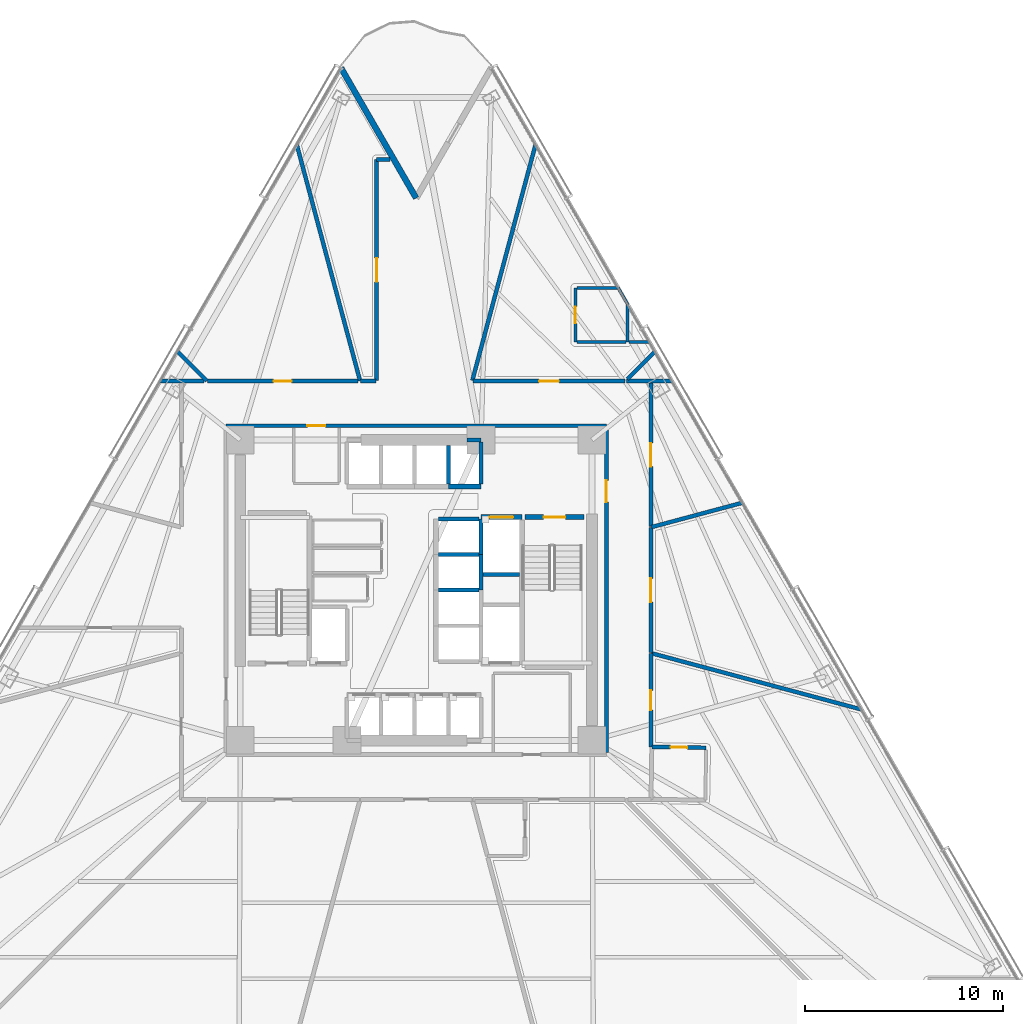
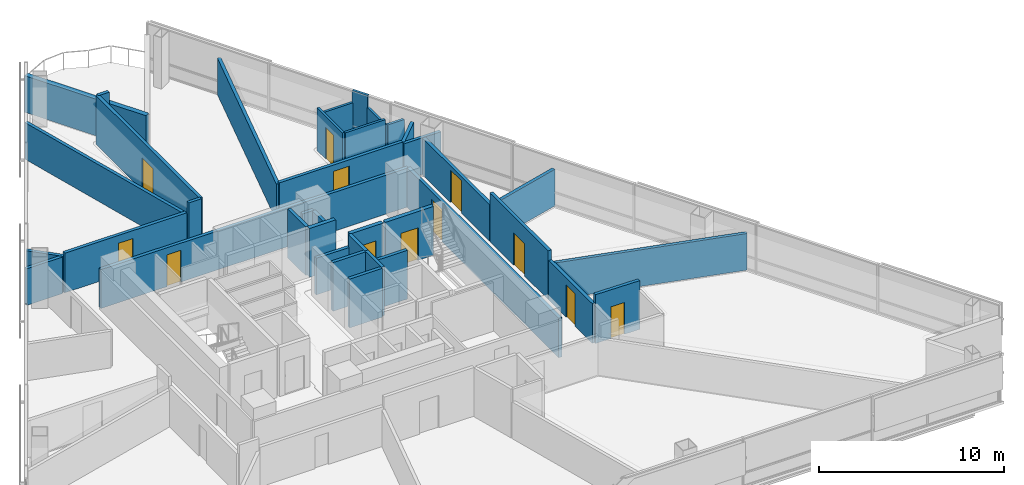
# One storey, part 9 of 16: 38 walls, 12 doors, 12 openings.
"""IFC4 building model written with IfcOpenShell, lengths in metres."""

from ifc_helpers import new_model, si_unit, direction, frame, frame_2d, origin, place, context, subcontext, project, spatial, rectangle, extrude, material, layer, layer_set, type_object, element, fill, save


model = new_model("IFC4")

# Units and contexts
model_context = context("Model", 3, precision=1e-05, world=origin(), true_north=direction((0.0, 1.0)))
body_context = subcontext(model_context, "Body", "Model", "MODEL_VIEW")
ifc_project = project(units=[si_unit("LENGTHUNIT", "METRE"), si_unit("AREAUNIT", "SQUARE_METRE"), si_unit("VOLUMEUNIT", "CUBIC_METRE"), si_unit("PLANEANGLEUNIT", "RADIAN"), si_unit("MASSUNIT", "GRAM", prefix="KILO")], contexts=[model_context])

# Site, building, storey
site_placement = place(None, origin())
site = spatial("IfcSite", under=ifc_project, at=site_placement, CompositionType="ELEMENT")
building_placement = place(site_placement, origin())
building = spatial("IfcBuilding", under=site, at=building_placement, Name="Tharavind Bronze Gate", CompositionType="ELEMENT")
storey_placement = place(building_placement, frame((0.0, 0.0, 48.85009765625)))
storey = spatial("IfcBuildingStorey", under=building, at=storey_placement, Name="L11", CompositionType="ELEMENT", Elevation=48.85009765625)

# Wall
ifc_material_1 = material(Name="Concrete C40/50", Category="concrete")
ifc_layer_1 = layer(ifc_material_1, 0.300048828125)
ifc_layer_set_1 = layer_set([ifc_layer_1], Name="Concrete C40/50")
wall_type_1 = type_object("IfcWallType", Name="EXTERIOR SPANDREL WALL 300", PredefinedType="STANDARD", material=ifc_layer_set_1)
wall_1_placement = place(storey_placement, frame((0.0, 19.83642578125, 0.0), z_axis=(0.0, 0.0, 1.0), x_axis=(-0.500005158081, 0.866022425744, 0.0)))
element("IfcWall", 1, at=wall_1_placement, inside=storey, type_object=wall_type_1, Name="L11 notch cheek wall 1B", PredefinedType="STANDARD", context=body_context, shape_type="SweptSolid", body=[
    extrude(rectangle(XDim=7.60009765625, YDim=0.300048828125, at=frame_2d((3.800048828125, 0.0))), origin(), (0.0, 0.0, 1.0), 2.419921875),
])

# Wall, opening, door
ifc_material_2 = material(Name="Aerated Concrete Block", Category="concrete")
ifc_layer_2 = layer(ifc_material_2, 0.199951171875)
ifc_layer_set_2 = layer_set([ifc_layer_2], Name="Aerated Concrete Block")
wall_type_2 = type_object("IfcWallType", Name="FIRE RATED PARTITION 200", PredefinedType="PARTITIONING", material=ifc_layer_set_2)
wall_2_placement = place(storey_placement, frame((9.6201171875, 8.320068359375, 0.0), z_axis=(0.0, 0.0, 1.0), x_axis=(-1.0, 0.0, 0.0)))
wall_2 = element("IfcWall", 2, at=wall_2_placement, inside=storey, type_object=wall_type_2, Name="L11 north core corridor wall", PredefinedType="PARTITIONING", context=body_context, shape_type="SweptSolid", body=[
    extrude(rectangle(XDim=19.240234375, YDim=0.199951171875, at=frame_2d((9.6201171875, 0.0))), origin(), (0.0, 0.0, 1.0), 2.56982421875),
])
opening_1_placement = place(wall_2_placement, frame((14.219970703125, 0.0, 0.0)))
opening_1 = element("IfcOpeningElement", 3, at=opening_1_placement, cuts=wall_2, Name="Opening ID07", PredefinedType="OPENING", context=body_context, shape_type="SweptSolid", body=[
    extrude(rectangle(XDim=0.89990234375, YDim=2.10009765625, at=frame_2d((0.449951171875, 1.050048828125))), frame((0.0, 0.11009765625, 0.0), z_axis=(0.0, -1.0, 0.0), x_axis=(1.0, 0.0, 0.0)), (0.0, 0.0, 1.0), 0.219951171875),
])
ifc_material_3 = material(Name="Galvanised Fire Steel", Category="steel")
door_type_1 = type_object("IfcDoorType", Name="PLANT AND RISER FIRE DOOR 900X2100", OperationType="SINGLE_SWING_LEFT", PredefinedType="DOOR", material=ifc_material_3)
door_1_placement = place(opening_1_placement, origin())
door_1 = element("IfcDoor", 4, at=door_1_placement, inside=storey, type_object=door_type_1, Name="L11 Electrical Switch Cupboard fire door", OperationType="SINGLE_SWING_LEFT", OverallHeight=2.10009765625, OverallWidth=0.89990234375, PredefinedType="DOOR", context=body_context, shape_type="SweptSolid", body=[
    extrude(rectangle(XDim=0.89990234375, YDim=2.10009765625, at=frame_2d((0.449951171875, 1.050048828125))), frame((0.0, 0.02490234375, 0.0), z_axis=(0.0, -1.0, 0.0), x_axis=(1.0, 0.0, 0.0)), (0.0, 0.0, 1.0), 0.050048828125),
])
fill(opening_1, door_1)

wall_3_placement = place(storey_placement, frame((9.6201171875, -8.199951171875, 0.0), z_axis=(0.0, 0.0, 1.0), x_axis=(0.0, 1.0, 0.0)))
wall_3 = element("IfcWall", 5, at=wall_3_placement, inside=storey, type_object=wall_type_2, Name="L11 east core corridor wall", PredefinedType="PARTITIONING", context=body_context, shape_type="SweptSolid", body=[
    extrude(rectangle(XDim=16.39990234375, YDim=0.199951171875, at=frame_2d((8.199951171875, 0.0))), origin(), (0.0, 0.0, 1.0), 2.619873046875),
])
opening_2_placement = place(wall_3_placement, frame((12.64990234375, 0.0, 0.0)))
opening_2 = element("IfcOpeningElement", 6, at=opening_2_placement, cuts=wall_3, Name="Opening ID01", PredefinedType="OPENING", context=body_context, shape_type="SweptSolid", body=[
    extrude(rectangle(XDim=1.10009765625, YDim=2.14990234375, at=frame_2d((0.550048828125, 1.074951171875))), frame((0.0, 0.11009765625, 0.0), z_axis=(0.0, -1.0, 0.0), x_axis=(1.0, 0.0, 0.0)), (0.0, 0.0, 1.0), 0.219951171875),
])
ifc_material_4 = material(Name="Fire-Rated Steel", Category="steel")
door_type_2 = type_object("IfcDoorType", Name="STAIR CORE FIRE DOOR 1100X2150", OperationType="SINGLE_SWING_LEFT", PredefinedType="DOOR", material=ifc_material_4)
door_2_placement = place(opening_2_placement, frame((1.10009765625, 0.0, 0.0), z_axis=(0.0, 0.0, 1.0), x_axis=(-1.0, 0.0, 0.0)))
door_2 = element("IfcDoor", 7, at=door_2_placement, inside=storey, type_object=door_type_2, Name="L11 north east stair lobby fire door", OperationType="SINGLE_SWING_LEFT", OverallHeight=2.14990234375, OverallWidth=1.10009765625, PredefinedType="DOOR", context=body_context, shape_type="SweptSolid", body=[
    extrude(rectangle(XDim=1.10009765625, YDim=2.14990234375, at=frame_2d((0.550048828125, 1.074951171875))), frame((0.0, 0.02490234375, 0.0), z_axis=(0.0, -1.0, 0.0), x_axis=(1.0, 0.0, 0.0)), (0.0, 0.0, 1.0), 0.050048828125),
])
fill(opening_2, door_2)

wall_4_placement = place(storey_placement, frame((11.923095703125, -7.930419921875, 0.0), z_axis=(0.0, 0.0, 1.0), x_axis=(0.999868029143, -0.016245747077, 0.0)))
wall_4 = element("IfcWall", 8, at=wall_4_placement, inside=storey, type_object=wall_type_2, Name="L11 En-Suite Bathroom partition", PredefinedType="PARTITIONING", context=body_context, shape_type="SweptSolid", body=[
    extrude(rectangle(XDim=2.75, YDim=0.199951171875, at=frame_2d((1.375, 0.0))), origin(), (0.0, 0.0, 1.0), 3.224853515625),
])
opening_3_placement = place(wall_4_placement, frame((0.949951171875, 0.0, 0.0)))
opening_3 = element("IfcOpeningElement", 9, at=opening_3_placement, cuts=wall_4, Name="Opening ID06", PredefinedType="OPENING", context=body_context, shape_type="SweptSolid", body=[
    extrude(rectangle(XDim=0.85009765625, YDim=2.10009765625, at=frame_2d((0.425048828125, 1.050048828125))), frame((0.0, 0.11009765625, 0.0), z_axis=(0.0, -1.0, 0.0), x_axis=(1.0, 0.0, 0.0)), (0.0, 0.0, 1.0), 0.219951171875),
])
ifc_material_5 = material(Name="Moisture-Resistant Timber", Category="wood")
door_type_3 = type_object("IfcDoorType", Name="BATHROOM PRIVACY DOOR 850X2100", OperationType="SINGLE_SWING_RIGHT", PredefinedType="DOOR", material=ifc_material_5)
door_3_placement = place(opening_3_placement, origin())
door_3 = element("IfcDoor", 10, at=door_3_placement, inside=storey, type_object=door_type_3, Name="L11 En-Suite Bathroom door", OperationType="SINGLE_SWING_RIGHT", OverallHeight=2.10009765625, OverallWidth=0.85009765625, PredefinedType="DOOR", context=body_context, shape_type="SweptSolid", body=[
    extrude(rectangle(XDim=0.85009765625, YDim=2.10009765625, at=frame_2d((0.425048828125, 1.050048828125))), frame((0.0, 0.02490234375, 0.0), z_axis=(0.0, -1.0, 0.0), x_axis=(1.0, 0.0, 0.0)), (0.0, 0.0, 1.0), 0.050048828125),
])
fill(opening_3, door_3)

# Walls
wall_5_placement = place(storey_placement, frame((12.944091796875, 10.580078125, 0.0), z_axis=(0.0, 0.0, 1.0), x_axis=(-1.0, 0.0, 0.0)))
element("IfcWall", 11, at=wall_5_placement, inside=storey, type_object=wall_type_2, Name="L11 Hotel Guest Lounge partition", PredefinedType="PARTITIONING", context=body_context, shape_type="SweptSolid", body=[
    extrude(rectangle(XDim=2.3037109375, YDim=0.199951171875, at=frame_2d((1.15185546875, 0.0))), origin(), (0.0, 0.0, 1.0), 2.419921875),
])
wall_6_placement = place(storey_placement, frame((10.68505859375, 10.68505859375, 0.0), z_axis=(0.0, 0.0, 1.0), x_axis=(0.707106781187, 0.707106781187, 0.0)))
element("IfcWall", 12, at=wall_6_placement, inside=storey, type_object=wall_type_2, Name="L11 Hotel Guest Lounge partition", PredefinedType="PARTITIONING", context=body_context, shape_type="SweptSolid", body=[
    extrude(rectangle(XDim=1.97119140625, YDim=0.199951171875, at=frame_2d((0.985595703125, 0.0))), origin(), (0.0, 0.0, 1.0), 2.419921875),
])
wall_7_placement = place(storey_placement, frame((16.5, 4.421142578125, 0.0), z_axis=(0.0, 0.0, 1.0), x_axis=(-0.965923733473, -0.258826855473, 0.0)))
element("IfcWall", 13, at=wall_7_placement, inside=storey, type_object=wall_type_2, Name="L11 Hotel Guest Lounge partition", PredefinedType="PARTITIONING", context=body_context, shape_type="SweptSolid", body=[
    extrude(rectangle(XDim=4.750244140625, YDim=0.199951171875, at=frame_2d((2.375, 0.0))), origin(), (0.0, 0.0, 1.0), 2.419921875),
])

# Wall, opening, door
wall_8_placement = place(storey_placement, frame((11.8798828125, 3.2158203125, 0.0), z_axis=(0.0, 0.0, 1.0), x_axis=(0.0, 1.0, 0.0)))
wall_8 = element("IfcWall", 14, at=wall_8_placement, inside=storey, type_object=wall_type_2, Name="L11 Hotel Guest Lounge partition", PredefinedType="PARTITIONING", context=body_context, shape_type="SweptSolid", body=[
    extrude(rectangle(XDim=7.25927734375, YDim=0.199951171875, at=frame_2d((3.629638671875, 0.0))), origin(), (0.0, 0.0, 1.0), 2.419921875),
])
opening_4_placement = place(wall_8_placement, frame((3.030029296875, 0.0, 0.0)))
opening_4 = element("IfcOpeningElement", 15, at=opening_4_placement, cuts=wall_8, Name="Opening ID05", PredefinedType="OPENING", context=body_context, shape_type="SweptSolid", body=[
    extrude(rectangle(XDim=1.199951171875, YDim=2.14990234375, at=frame_2d((0.60009765625, 1.074951171875))), frame((0.0, 0.11009765625, 0.0), z_axis=(0.0, -1.0, 0.0), x_axis=(1.0, 0.0, 0.0)), (0.0, 0.0, 1.0), 0.219951171875),
])
ifc_material_6 = material(Name="Acoustic Laminated Glass", Category="glass")
door_type_4 = type_object("IfcDoorType", Name="MEETING ROOM GLAZED DOOR 1200X2150", OperationType="SINGLE_SWING_LEFT", PredefinedType="DOOR", material=ifc_material_6)
door_4_placement = place(opening_4_placement, origin())
door_4 = element("IfcDoor", 16, at=door_4_placement, inside=storey, type_object=door_type_4, Name="L11 Hotel Guest Lounge door", OperationType="SINGLE_SWING_LEFT", OverallHeight=2.14990234375, OverallWidth=1.199951171875, PredefinedType="DOOR", context=body_context, shape_type="SweptSolid", body=[
    extrude(rectangle(XDim=1.199951171875, YDim=2.14990234375, at=frame_2d((0.60009765625, 1.074951171875))), frame((0.0, 0.02490234375, 0.0), z_axis=(0.0, -1.0, 0.0), x_axis=(1.0, 0.0, 0.0)), (0.0, 0.0, 1.0), 0.050048828125),
])
fill(opening_4, door_4)

wall_9_placement = place(storey_placement, frame((10.569580078125, 10.580078125, 0.0), z_axis=(0.0, 0.0, 1.0), x_axis=(-1.0, 0.0, 0.0)))
wall_9 = element("IfcWall", 17, at=wall_9_placement, inside=storey, type_object=wall_type_2, Name="L11 Royal Hotel Suite partition", PredefinedType="PARTITIONING", context=body_context, shape_type="SweptSolid", body=[
    extrude(rectangle(XDim=7.7021484375, YDim=0.199951171875, at=frame_2d((3.85107421875, 0.0))), origin(), (0.0, 0.0, 1.0), 2.56982421875),
])
opening_5_placement = place(wall_9_placement, frame((3.35107421875, 0.0, 0.0)))
opening_5 = element("IfcOpeningElement", 18, at=opening_5_placement, cuts=wall_9, Name="Opening ID03", PredefinedType="OPENING", context=body_context, shape_type="SweptSolid", body=[
    extrude(rectangle(XDim=1.0, YDim=2.14990234375, at=frame_2d((0.5, 1.074951171875))), frame((0.0, 0.11009765625, 0.0), z_axis=(0.0, -1.0, 0.0), x_axis=(1.0, 0.0, 0.0)), (0.0, 0.0, 1.0), 0.219951171875),
])
ifc_material_7 = material(Name="Solid Timber Veneer", Category="wood")
door_type_5 = type_object("IfcDoorType", Name="HOTEL SUITE ENTRANCE DOOR 1000X2150", OperationType="SINGLE_SWING_LEFT", PredefinedType="DOOR", material=ifc_material_7)
door_5_placement = place(opening_5_placement, origin())
door_5 = element("IfcDoor", 19, at=door_5_placement, inside=storey, type_object=door_type_5, Name="L11 Royal Hotel Suite door", OperationType="SINGLE_SWING_LEFT", OverallHeight=2.14990234375, OverallWidth=1.0, PredefinedType="DOOR", context=body_context, shape_type="SweptSolid", body=[
    extrude(rectangle(XDim=1.0, YDim=2.14990234375, at=frame_2d((0.5, 1.074951171875))), frame((0.0, 0.02490234375, 0.0), z_axis=(0.0, -1.0, 0.0), x_axis=(1.0, 0.0, 0.0)), (0.0, 0.0, 1.0), 0.050048828125),
])
fill(opening_5, door_5)

# Walls
wall_10_placement = place(storey_placement, frame((2.84326171875, 10.611572265625, 0.0), z_axis=(0.0, 0.0, 1.0), x_axis=(0.258820414837, 0.965925459269, 0.0)))
element("IfcWall", 20, at=wall_10_placement, inside=storey, type_object=wall_type_2, Name="L11 Royal Hotel Suite partition", PredefinedType="PARTITIONING", context=body_context, shape_type="SweptSolid", body=[
    extrude(rectangle(XDim=12.348388671875, YDim=0.199951171875, at=frame_2d((6.17431640625, 0.0))), origin(), (0.0, 0.0, 1.0), 2.419921875),
])
wall_11_placement = place(storey_placement, frame((-1.312744140625, 21.800048828125, 0.0), z_axis=(0.0, 0.0, 1.0), x_axis=(-1.0, 0.0, 0.0)))
element("IfcWall", 21, at=wall_11_placement, inside=storey, type_object=wall_type_2, Name="L11 Hotel Wellness Spa Salon partition", PredefinedType="PARTITIONING", context=body_context, shape_type="SweptSolid", body=[
    extrude(rectangle(XDim=0.686767578125, YDim=0.199951171875, at=frame_2d((0.34326171875, 0.0))), origin(), (0.0, 0.0, 1.0), 3.224853515625),
])

# Wall, opening, door
wall_12_placement = place(storey_placement, frame((-2.0, 21.79931640625, 0.0), z_axis=(0.0, 0.0, 1.0), x_axis=(0.0, -1.0, 0.0)))
wall_12 = element("IfcWall", 22, at=wall_12_placement, inside=storey, type_object=wall_type_2, Name="L11 Hotel Wellness Spa Salon partition", PredefinedType="PARTITIONING", context=body_context, shape_type="SweptSolid", body=[
    extrude(rectangle(XDim=11.1943359375, YDim=0.199951171875, at=frame_2d((5.59716796875, 0.0))), origin(), (0.0, 0.0, 1.0), 3.224853515625),
])
opening_6_placement = place(wall_12_placement, frame((4.9970703125, 0.0, 0.0)))
opening_6 = element("IfcOpeningElement", 23, at=opening_6_placement, cuts=wall_12, Name="Opening ID05", PredefinedType="OPENING", context=body_context, shape_type="SweptSolid", body=[
    extrude(rectangle(XDim=1.199951171875, YDim=2.14990234375, at=frame_2d((0.60009765625, 1.074951171875))), frame((0.0, 0.11009765625, 0.0), z_axis=(0.0, -1.0, 0.0), x_axis=(1.0, 0.0, 0.0)), (0.0, 0.0, 1.0), 0.219951171875),
])
door_6_placement = place(opening_6_placement, origin())
door_6 = element("IfcDoor", 24, at=door_6_placement, inside=storey, type_object=door_type_4, Name="L11 Hotel Wellness Spa Salon door", OperationType="SINGLE_SWING_LEFT", OverallHeight=2.14990234375, OverallWidth=1.199951171875, PredefinedType="DOOR", context=body_context, shape_type="SweptSolid", body=[
    extrude(rectangle(XDim=1.199951171875, YDim=2.14990234375, at=frame_2d((0.60009765625, 1.074951171875))), frame((0.0, 0.02490234375, 0.0), z_axis=(0.0, -1.0, 0.0), x_axis=(1.0, 0.0, 0.0)), (0.0, 0.0, 1.0), 0.050048828125),
])
fill(opening_6, door_6)

# Walls
wall_13_placement = place(storey_placement, frame((-2.02490234375, 10.580078125, 0.0), z_axis=(0.0, 0.0, 1.0), x_axis=(-1.0, 0.0, 0.0)))
element("IfcWall", 25, at=wall_13_placement, inside=storey, type_object=wall_type_2, Name="L11 Hotel Wellness Spa Salon partition", PredefinedType="PARTITIONING", context=body_context, shape_type="SweptSolid", body=[
    extrude(rectangle(XDim=0.790771484375, YDim=0.199951171875, at=frame_2d((0.3955078125, 0.0))), origin(), (0.0, 0.0, 1.0), 3.224853515625),
])
wall_14_placement = place(storey_placement, frame((-2.83984375, 10.598388671875, 0.0), z_axis=(0.0, 0.0, 1.0), x_axis=(-0.258811500911, 0.965927847718, 0.0)))
element("IfcWall", 26, at=wall_14_placement, inside=storey, type_object=wall_type_2, Name="L11 Hotel Wellness Spa Salon partition", PredefinedType="PARTITIONING", context=body_context, shape_type="SweptSolid", body=[
    extrude(rectangle(XDim=12.351806640625, YDim=0.199951171875, at=frame_2d((6.17578125, 0.0))), origin(), (0.0, 0.0, 1.0), 2.419921875),
])

# Wall, opening, door
wall_15_placement = place(storey_placement, frame((-2.943603515625, 10.580078125, 0.0), z_axis=(0.0, 0.0, 1.0), x_axis=(-1.0, 0.0, 0.0)))
wall_15 = element("IfcWall", 27, at=wall_15_placement, inside=storey, type_object=wall_type_2, Name="L11 Housekeeping & Linen Room partition", PredefinedType="PARTITIONING", context=body_context, shape_type="SweptSolid", body=[
    extrude(rectangle(XDim=7.6259765625, YDim=0.199951171875, at=frame_2d((3.81298828125, 0.0))), origin(), (0.0, 0.0, 1.0), 2.619873046875),
])
opening_7_placement = place(wall_15_placement, frame((3.363037109375, 0.0, 0.0)))
opening_7 = element("IfcOpeningElement", 28, at=opening_7_placement, cuts=wall_15, Name="Opening ID07", PredefinedType="OPENING", context=body_context, shape_type="SweptSolid", body=[
    extrude(rectangle(XDim=0.89990234375, YDim=2.10009765625, at=frame_2d((0.449951171875, 1.050048828125))), frame((0.0, 0.11009765625, 0.0), z_axis=(0.0, -1.0, 0.0), x_axis=(1.0, 0.0, 0.0)), (0.0, 0.0, 1.0), 0.219951171875),
])
door_7_placement = place(opening_7_placement, origin())
door_7 = element("IfcDoor", 29, at=door_7_placement, inside=storey, type_object=door_type_1, Name="L11 Housekeeping & Linen Room door", OperationType="SINGLE_SWING_LEFT", OverallHeight=2.10009765625, OverallWidth=0.89990234375, PredefinedType="DOOR", context=body_context, shape_type="SweptSolid", body=[
    extrude(rectangle(XDim=0.89990234375, YDim=2.10009765625, at=frame_2d((0.449951171875, 1.050048828125))), frame((0.0, 0.02490234375, 0.0), z_axis=(0.0, -1.0, 0.0), x_axis=(1.0, 0.0, 0.0)), (0.0, 0.0, 1.0), 0.050048828125),
])
fill(opening_7, door_7)

# Walls
wall_16_placement = place(storey_placement, frame((-10.58740234375, 10.58740234375, 0.0), z_axis=(0.0, 0.0, 1.0), x_axis=(-0.707106781187, 0.707106781187, 0.0)))
element("IfcWall", 30, at=wall_16_placement, inside=storey, type_object=wall_type_2, Name="L11 Housekeeping & Linen Room partition", PredefinedType="PARTITIONING", context=body_context, shape_type="SweptSolid", body=[
    extrude(rectangle(XDim=2.08984375, YDim=0.199951171875, at=frame_2d((1.044921875, 0.0))), origin(), (0.0, 0.0, 1.0), 2.419921875),
])
wall_17_placement = place(storey_placement, frame((-10.728515625, 10.580078125, 0.0), z_axis=(0.0, 0.0, 1.0), x_axis=(-1.0, 0.0, 0.0)))
element("IfcWall", 31, at=wall_17_placement, inside=storey, type_object=wall_type_2, Name="L11 Hotel Guest Lounge partition", PredefinedType="PARTITIONING", context=body_context, shape_type="SweptSolid", body=[
    extrude(rectangle(XDim=2.215576171875, YDim=0.199951171875, at=frame_2d((1.10791015625, 0.0))), origin(), (0.0, 0.0, 1.0), 2.419921875),
])
wall_18_placement = place(storey_placement, frame((11.91162109375, -3.191650390625, 0.0), z_axis=(0.0, 0.0, 1.0), x_axis=(0.965922374415, -0.258831927328, 0.0)))
element("IfcWall", 32, at=wall_18_placement, inside=storey, type_object=wall_type_2, Name="L11 Royal Hotel Suite partition", PredefinedType="PARTITIONING", context=body_context, shape_type="SweptSolid", body=[
    extrude(rectangle(XDim=10.992431640625, YDim=0.199951171875, at=frame_2d((5.49609375, 0.0))), origin(), (0.0, 0.0, 1.0), 2.419921875),
])

# Wall, opening, door
wall_19_placement = place(storey_placement, frame((11.8798828125, -7.9296875, 0.0), z_axis=(0.0, 0.0, 1.0), x_axis=(0.0, 1.0, 0.0)))
wall_19 = element("IfcWall", 33, at=wall_19_placement, inside=storey, type_object=wall_type_2, Name="L11 Royal Hotel Suite partition", PredefinedType="PARTITIONING", context=body_context, shape_type="SweptSolid", body=[
    extrude(rectangle(XDim=4.7138671875, YDim=0.199951171875, at=frame_2d((2.35693359375, 0.0))), origin(), (0.0, 0.0, 1.0), 2.619873046875),
])
opening_8_placement = place(wall_19_placement, frame((1.85693359375, 0.0, 0.0)))
opening_8 = element("IfcOpeningElement", 34, at=opening_8_placement, cuts=wall_19, Name="Opening ID03", PredefinedType="OPENING", context=body_context, shape_type="SweptSolid", body=[
    extrude(rectangle(XDim=1.0, YDim=2.14990234375, at=frame_2d((0.5, 1.074951171875))), frame((0.0, 0.11009765625, 0.0), z_axis=(0.0, -1.0, 0.0), x_axis=(1.0, 0.0, 0.0)), (0.0, 0.0, 1.0), 0.219951171875),
])
door_8_placement = place(opening_8_placement, origin())
door_8 = element("IfcDoor", 35, at=door_8_placement, inside=storey, type_object=door_type_5, Name="L11 Royal Hotel Suite door", OperationType="SINGLE_SWING_LEFT", OverallHeight=2.14990234375, OverallWidth=1.0, PredefinedType="DOOR", context=body_context, shape_type="SweptSolid", body=[
    extrude(rectangle(XDim=1.0, YDim=2.14990234375, at=frame_2d((0.5, 1.074951171875))), frame((0.0, 0.02490234375, 0.0), z_axis=(0.0, -1.0, 0.0), x_axis=(1.0, 0.0, 0.0)), (0.0, 0.0, 1.0), 0.050048828125),
])
fill(opening_8, door_8)

wall_20_placement = place(storey_placement, frame((11.8798828125, -3.1640625, 0.0), z_axis=(0.0, 0.0, 1.0), x_axis=(0.0, 1.0, 0.0)))
wall_20 = element("IfcWall", 36, at=wall_20_placement, inside=storey, type_object=wall_type_2, Name="L11 Hotel Wellness Spa Salon partition", PredefinedType="PARTITIONING", context=body_context, shape_type="SweptSolid", body=[
    extrude(rectangle(XDim=6.328125, YDim=0.199951171875, at=frame_2d((3.1640625, 0.0))), origin(), (0.0, 0.0, 1.0), 3.224853515625),
])
opening_9_placement = place(wall_20_placement, frame((2.56396484375, 0.0, 0.0)))
opening_9 = element("IfcOpeningElement", 37, at=opening_9_placement, cuts=wall_20, Name="Opening ID05", PredefinedType="OPENING", context=body_context, shape_type="SweptSolid", body=[
    extrude(rectangle(XDim=1.199951171875, YDim=2.14990234375, at=frame_2d((0.60009765625, 1.074951171875))), frame((0.0, 0.11009765625, 0.0), z_axis=(0.0, -1.0, 0.0), x_axis=(1.0, 0.0, 0.0)), (0.0, 0.0, 1.0), 0.219951171875),
])
door_9_placement = place(opening_9_placement, origin())
door_9 = element("IfcDoor", 38, at=door_9_placement, inside=storey, type_object=door_type_4, Name="L11 Hotel Wellness Spa Salon door", OperationType="SINGLE_SWING_LEFT", OverallHeight=2.14990234375, OverallWidth=1.199951171875, PredefinedType="DOOR", context=body_context, shape_type="SweptSolid", body=[
    extrude(rectangle(XDim=1.199951171875, YDim=2.14990234375, at=frame_2d((0.60009765625, 1.074951171875))), frame((0.0, 0.02490234375, 0.0), z_axis=(0.0, -1.0, 0.0), x_axis=(1.0, 0.0, 0.0)), (0.0, 0.0, 1.0), 0.050048828125),
])
fill(opening_9, door_9)

ifc_material_8 = material(Name="Twin Stud Acoustic Gypsum", Category="gypsum")
ifc_layer_3 = layer(ifc_material_8, 0.14990234375)
ifc_layer_set_3 = layer_set([ifc_layer_3], Name="Twin Stud Acoustic Gypsum")
wall_type_3 = type_object("IfcWallType", Name="INTERIOR PARTITION WALL 150", PredefinedType="PARTITIONING", material=ifc_layer_set_3)
wall_21_placement = place(storey_placement, frame((8.050048828125, 12.550048828125, 0.0), z_axis=(0.0, 0.0, 1.0), x_axis=(0.0, 1.0, 0.0)))
wall_21 = element("IfcWall", 39, at=wall_21_placement, inside=storey, type_object=wall_type_3, Name="L11 En-Suite Bathroom partition", PredefinedType="PARTITIONING", context=body_context, shape_type="SweptSolid", body=[
    extrude(rectangle(XDim=2.75, YDim=0.14990234375, at=frame_2d((1.375, 0.0))), origin(), (0.0, 0.0, 1.0), 2.81982421875),
])
opening_10_placement = place(wall_21_placement, frame((0.949951171875, 0.0, 0.0)))
opening_10 = element("IfcOpeningElement", 40, at=opening_10_placement, cuts=wall_21, Name="Opening ID06", PredefinedType="OPENING", context=body_context, shape_type="SweptSolid", body=[
    extrude(rectangle(XDim=0.85009765625, YDim=2.10009765625, at=frame_2d((0.425048828125, 1.050048828125))), frame((0.0, 0.084951171875, 0.0), z_axis=(0.0, -1.0, 0.0), x_axis=(1.0, 0.0, 0.0)), (0.0, 0.0, 1.0), 0.16990234375),
])
door_10_placement = place(opening_10_placement, origin())
door_10 = element("IfcDoor", 41, at=door_10_placement, inside=storey, type_object=door_type_3, Name="L11 En-Suite Bathroom door", OperationType="SINGLE_SWING_RIGHT", OverallHeight=2.10009765625, OverallWidth=0.85009765625, PredefinedType="DOOR", context=body_context, shape_type="SweptSolid", body=[
    extrude(rectangle(XDim=0.85009765625, YDim=2.10009765625, at=frame_2d((0.425048828125, 1.050048828125))), frame((0.0, 0.02490234375, 0.0), z_axis=(0.0, -1.0, 0.0), x_axis=(1.0, 0.0, 0.0)), (0.0, 0.0, 1.0), 0.050048828125),
])
fill(opening_10, door_10)

# Walls
wall_22_placement = place(storey_placement, frame((8.1298828125, 15.300048828125, 0.0), z_axis=(0.0, 0.0, 1.0), x_axis=(1.0, 0.0, 0.0)))
element("IfcWall", 42, at=wall_22_placement, inside=storey, type_object=wall_type_3, Name="L11 En-Suite Bathroom partition", PredefinedType="PARTITIONING", context=body_context, shape_type="SweptSolid", body=[
    extrude(rectangle(XDim=2.089111328125, YDim=0.14990234375, at=frame_2d((1.04443359375, 0.0))), origin(), (0.0, 0.0, 1.0), 2.419921875),
])
wall_23_placement = place(storey_placement, frame((10.218994140625, 15.300048828125, 0.0), z_axis=(0.0, 0.0, 1.0), x_axis=(0.500015396624, -0.866016514357, 0.0)))
element("IfcWall", 43, at=wall_23_placement, inside=storey, type_object=wall_type_3, Name="L11 En-Suite Bathroom partition", PredefinedType="PARTITIONING", context=body_context, shape_type="SweptSolid", body=[
    extrude(rectangle(XDim=0.9619140625, YDim=0.14990234375, at=frame_2d((0.48095703125, 0.0))), origin(), (0.0, 0.0, 1.0), 3.224853515625),
])
wall_24_placement = place(storey_placement, frame((10.699951171875, 14.467041015625, 0.0), z_axis=(0.0, 0.0, 1.0), x_axis=(0.0, -1.0, 0.0)))
element("IfcWall", 44, at=wall_24_placement, inside=storey, type_object=wall_type_3, Name="L11 En-Suite Bathroom partition", PredefinedType="PARTITIONING", context=body_context, shape_type="SweptSolid", body=[
    extrude(rectangle(XDim=1.9169921875, YDim=0.14990234375, at=frame_2d((0.95849609375, 0.0))), origin(), (0.0, 0.0, 1.0), 2.419921875),
])
wall_25_placement = place(storey_placement, frame((11.806884765625, 12.550048828125, 0.0), z_axis=(0.0, 0.0, 1.0), x_axis=(-1.0, 0.0, 0.0)))
element("IfcWall", 45, at=wall_25_placement, inside=storey, type_object=wall_type_3, Name="L11 En-Suite Bathroom partition", PredefinedType="PARTITIONING", context=body_context, shape_type="SweptSolid", body=[
    extrude(rectangle(XDim=1.02685546875, YDim=0.14990234375, at=frame_2d((0.513427734375, 0.0))), origin(), (0.0, 0.0, 1.0), 2.419921875),
])
wall_26_placement = place(storey_placement, frame((10.6201171875, 12.550048828125, 0.0), z_axis=(0.0, 0.0, 1.0), x_axis=(-1.0, 0.0, 0.0)))
element("IfcWall", 46, at=wall_26_placement, inside=storey, type_object=wall_type_3, Name="L11 En-Suite Bathroom partition", PredefinedType="PARTITIONING", context=body_context, shape_type="SweptSolid", body=[
    extrude(rectangle(XDim=2.490234375, YDim=0.14990234375, at=frame_2d((1.2451171875, 0.0))), origin(), (0.0, 0.0, 1.0), 2.81982421875),
])

# Wall, opening, door
ifc_material_9 = material(Name="Concrete C50/60", Category="concrete")
ifc_layer_4 = layer(ifc_material_9, 0.25)
ifc_layer_set_4 = layer_set([ifc_layer_4], Name="Concrete C50/60")
wall_type_4 = type_object("IfcWallType", Name="RC CORE SHEAR WALL 250", PredefinedType="SHEAR", material=ifc_layer_set_4)
wall_27_placement = place(storey_placement, frame((5.5, 3.699951171875, 0.0), z_axis=(0.0, 0.0, 1.0), x_axis=(1.0, 0.0, 0.0)))
wall_27 = element("IfcWall", 47, at=wall_27_placement, inside=storey, type_object=wall_type_4, Name="L11 ST2 shaft north wall", PredefinedType="SHEAR", context=body_context, shape_type="SweptSolid", body=[
    extrude(rectangle(XDim=3.0, YDim=0.25, at=frame_2d((1.5, 0.0))), origin(), (0.0, 0.0, 1.0), 3.224853515625),
])
opening_11_placement = place(wall_27_placement, frame((0.949951171875, 0.0, 0.0)))
opening_11 = element("IfcOpeningElement", 48, at=opening_11_placement, cuts=wall_27, Name="Opening ID01", PredefinedType="OPENING", context=body_context, shape_type="SweptSolid", body=[
    extrude(rectangle(XDim=1.10009765625, YDim=2.14990234375, at=frame_2d((0.550048828125, 1.074951171875))), frame((0.0, 0.135, 0.0), z_axis=(0.0, -1.0, 0.0), x_axis=(1.0, 0.0, 0.0)), (0.0, 0.0, 1.0), 0.27),
])
door_11_placement = place(opening_11_placement, frame((1.10009765625, 0.0, 0.0), z_axis=(0.0, 0.0, 1.0), x_axis=(-1.0, 0.0, 0.0)))
door_11 = element("IfcDoor", 49, at=door_11_placement, inside=storey, type_object=door_type_2, Name="L11 exit stair ST2 fire door", OperationType="SINGLE_SWING_LEFT", OverallHeight=2.14990234375, OverallWidth=1.10009765625, PredefinedType="DOOR", context=body_context, shape_type="SweptSolid", body=[
    extrude(rectangle(XDim=1.10009765625, YDim=2.14990234375, at=frame_2d((0.550048828125, 1.074951171875))), frame((0.0, 0.02490234375, 0.0), z_axis=(0.0, -1.0, 0.0), x_axis=(1.0, 0.0, 0.0)), (0.0, 0.0, 1.0), 0.050048828125),
])
fill(opening_11, door_11)

# Wall
wall_28_placement = place(storey_placement, frame((1.637451171875, 5.25, 0.0), z_axis=(0.0, 0.0, 1.0), x_axis=(1.0, 0.0, 0.0)))
element("IfcWall", 50, at=wall_28_placement, inside=storey, type_object=wall_type_4, Name="L11 lift PL8 shaft front wall", PredefinedType="SHEAR", context=body_context, shape_type="SweptSolid", body=[
    extrude(rectangle(XDim=1.642578125, YDim=0.25, at=frame_2d((0.8212890625, 0.0))), origin(), (0.0, 0.0, 1.0), 3.224853515625),
])

# Wall, opening, door
wall_29_placement = place(storey_placement, frame((3.280029296875, 3.699951171875, 0.0), z_axis=(0.0, 0.0, 1.0), x_axis=(1.0, 0.0, 0.0)))
wall_29 = element("IfcWall", 51, at=wall_29_placement, inside=storey, type_object=wall_type_4, Name="L11 lift FFL2 shaft front wall", PredefinedType="SHEAR", context=body_context, shape_type="SweptSolid", body=[
    extrude(rectangle(XDim=2.070068359375, YDim=0.25, at=frame_2d((1.03515625, 0.0))), origin(), (0.0, 0.0, 1.0), 3.224853515625),
])
opening_12_placement = place(wall_29_placement, frame((0.43505859375, 0.0, 0.0)))
opening_12 = element("IfcOpeningElement", 52, at=opening_12_placement, cuts=wall_29, Name="Opening LD02", PredefinedType="OPENING", context=body_context, shape_type="SweptSolid", body=[
    extrude(rectangle(XDim=1.199951171875, YDim=2.199951171875, at=frame_2d((0.60009765625, 1.10009765625))), frame((0.0, 0.135, 0.0), z_axis=(0.0, -1.0, 0.0), x_axis=(1.0, 0.0, 0.0)), (0.0, 0.0, 1.0), 0.27),
])
ifc_material_10 = material(Name="Brushed Stainless Steel", Category="steel")
door_type_6 = type_object("IfcDoorType", Name="FIREFIGHTING LIFT LANDING DOOR 1200X2200", OperationType="SLIDING_TO_RIGHT", PredefinedType="DOOR", material=ifc_material_10)
door_12_placement = place(opening_12_placement, origin())
door_12 = element("IfcDoor", 53, at=door_12_placement, inside=storey, type_object=door_type_6, Name="L11 lift FFL2 sliding landing door", OperationType="SLIDING_TO_RIGHT", OverallHeight=2.199951171875, OverallWidth=1.199951171875, PredefinedType="DOOR", context=body_context, shape_type="SweptSolid", body=[
    extrude(rectangle(XDim=1.199951171875, YDim=2.199951171875, at=frame_2d((0.60009765625, 1.10009765625))), frame((0.0, 0.02490234375, 0.0), z_axis=(0.0, -1.0, 0.0), x_axis=(1.0, 0.0, 0.0)), (0.0, 0.0, 1.0), 0.050048828125),
])
fill(opening_12, door_12)

# Walls
ifc_layer_5 = layer(ifc_material_1, 0.199951171875)
ifc_layer_set_5 = layer_set([ifc_layer_5], Name="Concrete C40/50")
wall_type_5 = type_object("IfcWallType", Name="SHAFT ENCLOSURE WALL 200", PredefinedType="PARTITIONING", material=ifc_layer_set_5)
wall_30_placement = place(storey_placement, frame((1.637451171875, 5.3798828125, 0.0), z_axis=(0.0, 0.0, 1.0), x_axis=(0.0, 1.0, 0.0)))
element("IfcWall", 54, at=wall_30_placement, inside=storey, type_object=wall_type_5, Name="L11 lift PL7 shaft E enclosure wall", PredefinedType="PARTITIONING", context=body_context, shape_type="SweptSolid", body=[
    extrude(rectangle(XDim=1.940185546875, YDim=0.199951171875, at=frame_2d((0.97021484375, 0.0))), origin(), (0.0, 0.0, 1.0), 3.224853515625),
])
wall_31_placement = place(storey_placement, frame((2.580078125, 7.60009765625, 0.0), z_axis=(0.0, 0.0, 1.0), x_axis=(1.0, 0.0, 0.0)))
element("IfcWall", 55, at=wall_31_placement, inside=storey, type_object=wall_type_5, Name="L11 lift PL8 shaft N enclosure wall", PredefinedType="PARTITIONING", context=body_context, shape_type="SweptSolid", body=[
    extrude(rectangle(XDim=0.699951171875, YDim=0.199951171875, at=frame_2d((0.35009765625, 0.0))), origin(), (0.0, 0.0, 1.0), 2.419921875),
])
wall_32_placement = place(storey_placement, frame((3.280029296875, 5.3798828125, 0.0), z_axis=(0.0, 0.0, 1.0), x_axis=(0.0, 1.0, 0.0)))
element("IfcWall", 56, at=wall_32_placement, inside=storey, type_object=wall_type_5, Name="L11 lift PL8 shaft E enclosure wall", PredefinedType="PARTITIONING", context=body_context, shape_type="SweptSolid", body=[
    extrude(rectangle(XDim=2.115234375, YDim=0.199951171875, at=frame_2d((1.0576171875, 0.0))), origin(), (0.0, 0.0, 1.0), 2.419921875),
])
wall_33_placement = place(storey_placement, frame((1.1298828125, 0.0, 0.0), z_axis=(0.0, 0.0, 1.0), x_axis=(1.0, 0.0, 0.0)))
element("IfcWall", 57, at=wall_33_placement, inside=storey, type_object=wall_type_5, Name="L11 lift PL10 shaft N enclosure wall", PredefinedType="PARTITIONING", context=body_context, shape_type="SweptSolid", body=[
    extrude(rectangle(XDim=2.045166015625, YDim=0.199951171875, at=frame_2d((1.0224609375, 0.0))), origin(), (0.0, 0.0, 1.0), 3.224853515625),
])
wall_34_placement = place(storey_placement, frame((3.280029296875, 0.0, 0.0), z_axis=(0.0, 0.0, 1.0), x_axis=(0.0, 1.0, 0.0)))
element("IfcWall", 58, at=wall_34_placement, inside=storey, type_object=wall_type_5, Name="L11 lift PL11 shaft E enclosure wall", PredefinedType="PARTITIONING", context=body_context, shape_type="SweptSolid", body=[
    extrude(rectangle(XDim=1.800048828125, YDim=0.199951171875, at=frame_2d((0.89990234375, 0.0))), origin(), (0.0, 0.0, 1.0), 3.224853515625),
])
wall_35_placement = place(storey_placement, frame((1.1298828125, 1.800048828125, 0.0), z_axis=(0.0, 0.0, 1.0), x_axis=(1.0, 0.0, 0.0)))
element("IfcWall", 59, at=wall_35_placement, inside=storey, type_object=wall_type_5, Name="L11 lift PL11 shaft N enclosure wall", PredefinedType="PARTITIONING", context=body_context, shape_type="SweptSolid", body=[
    extrude(rectangle(XDim=2.045166015625, YDim=0.199951171875, at=frame_2d((1.0224609375, 0.0))), origin(), (0.0, 0.0, 1.0), 3.224853515625),
])
wall_36_placement = place(storey_placement, frame((3.280029296875, 1.800048828125, 0.0), z_axis=(0.0, 0.0, 1.0), x_axis=(0.0, 1.0, 0.0)))
element("IfcWall", 60, at=wall_36_placement, inside=storey, type_object=wall_type_5, Name="L11 lift PL12 shaft E enclosure wall", PredefinedType="PARTITIONING", context=body_context, shape_type="SweptSolid", body=[
    extrude(rectangle(XDim=1.800048828125, YDim=0.199951171875, at=frame_2d((0.89990234375, 0.0))), origin(), (0.0, 0.0, 1.0), 3.224853515625),
])
wall_37_placement = place(storey_placement, frame((1.1298828125, 3.60009765625, 0.0), z_axis=(0.0, 0.0, 1.0), x_axis=(1.0, 0.0, 0.0)))
element("IfcWall", 61, at=wall_37_placement, inside=storey, type_object=wall_type_5, Name="L11 lift PL12 shaft N enclosure wall", PredefinedType="PARTITIONING", context=body_context, shape_type="SweptSolid", body=[
    extrude(rectangle(XDim=2.045166015625, YDim=0.199951171875, at=frame_2d((1.0224609375, 0.0))), origin(), (0.0, 0.0, 1.0), 2.419921875),
])
wall_38_placement = place(storey_placement, frame((3.385009765625, 0.800048828125, 0.0), z_axis=(0.0, 0.0, 1.0), x_axis=(1.0, 0.0, 0.0)))
element("IfcWall", 62, at=wall_38_placement, inside=storey, type_object=wall_type_5, Name="L11 lift FFL2 shaft S enclosure wall", PredefinedType="PARTITIONING", context=body_context, shape_type="SweptSolid", body=[
    extrude(rectangle(XDim=1.8349609375, YDim=0.199951171875, at=frame_2d((0.91748046875, 0.0))), origin(), (0.0, 0.0, 1.0), 3.224853515625),
])

save(model, "model.ifc")
